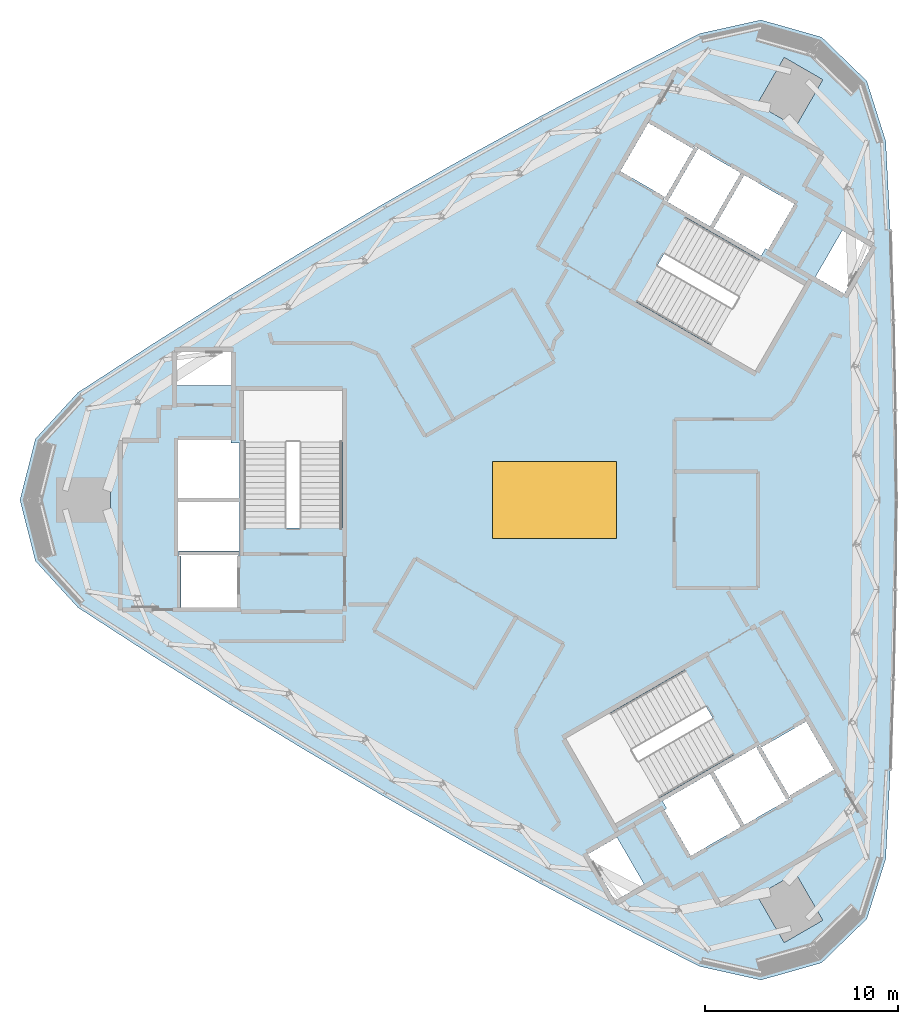
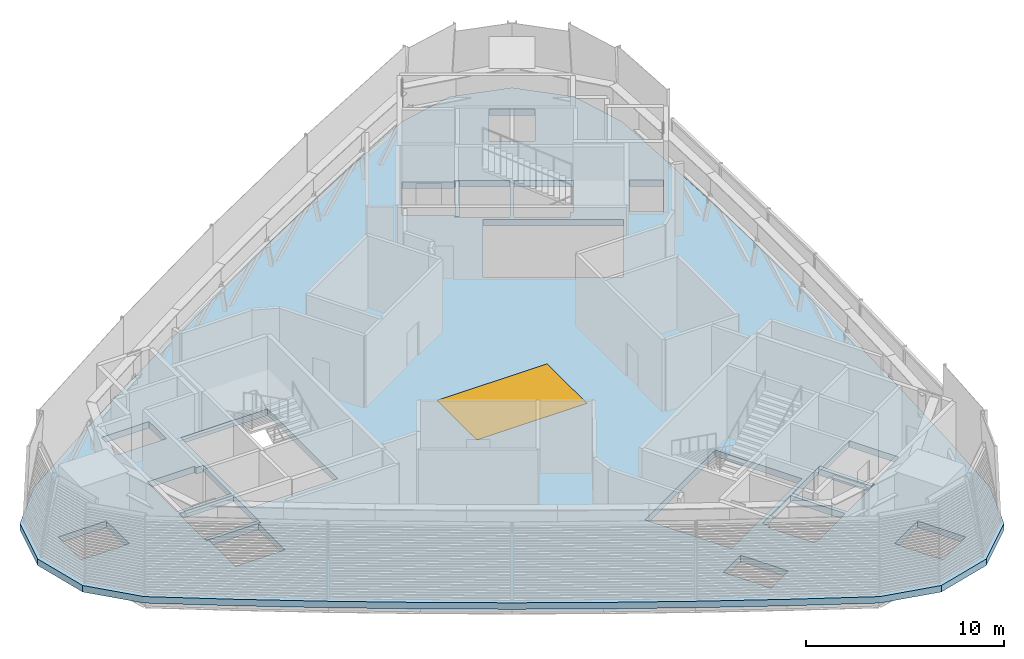
# One storey, part 5 of 18: 1 slab, 1 window, 1 opening.
"""IFC4 building model written with IfcOpenShell, lengths in metres."""

from ifc_helpers import new_model, si_unit, direction, frame, origin, origin_2d, place, context, subcontext, project, spatial, polyline, rectangle, outline, extrude, material, layer, layer_set, type_object, element, fill, save


model = new_model("IFC4")

# Units and contexts
model_context = context("Model", 3, precision=1e-05, world=origin(), true_north=direction((0.0, 1.0)))
body_context = subcontext(model_context, "Body", "Model", "MODEL_VIEW")
ifc_project = project(units=[si_unit("LENGTHUNIT", "METRE"), si_unit("AREAUNIT", "SQUARE_METRE"), si_unit("VOLUMEUNIT", "CUBIC_METRE"), si_unit("PLANEANGLEUNIT", "RADIAN"), si_unit("MASSUNIT", "GRAM", prefix="KILO")], contexts=[model_context])

# Site, building, storey
site_placement = place(None, origin())
site = spatial("IfcSite", under=ifc_project, at=site_placement, CompositionType="ELEMENT")
building_placement = place(site_placement, origin())
building = spatial("IfcBuilding", under=site, at=building_placement, Name="Tamra Quay Hotel Tower", CompositionType="ELEMENT")
storey_placement = place(building_placement, frame((0.0, 0.0, 257.39990234375)))
storey = spatial("IfcBuildingStorey", under=building, at=storey_placement, Name="L65", CompositionType="ELEMENT", Elevation=257.39990234375)

# Slab, opening, window
ifc_material_1 = material(Name="Concrete M60", Category="concrete")
ifc_layer = layer(ifc_material_1, 0.39990234375)
ifc_layer_set = layer_set([ifc_layer], Name="FLOOR SLAB PT 400")
slab_type = type_object("IfcSlabType", Name="FLOOR SLAB PT 400", PredefinedType="FLOOR", material=ifc_layer_set)
slab_placement = place(storey_placement, frame((0.0, 0.0, -0.39990234375)))
slab = element("IfcSlab", 1, at=slab_placement, inside=storey, type_object=slab_type, Name="SLAB-L65", PredefinedType="FLOOR", context=body_context, shape_type="SweptSolid", body=[
    extrude(outline(polyline([(17.3623046875, 13.91552734375), (17.53271484375, 9.278564453125), (17.63525390625, 4.639892578125), (17.66943359375, 0.0), (17.63525390625, -4.639892578125), (17.53271484375, -9.278564453125), (17.3623046875, -13.91552734375), (17.123779296875, -18.54931640625), (16.14453125, -21.652587890625), (13.810302734375, -23.919921875), (10.679443359375, -24.80810546875), (7.502197265625, -24.1044921875), (3.3701171875, -21.993896484375), (-0.73095703125, -19.8232421875), (-4.79931640625, -17.592529296875), (-8.834716796875, -15.302001953125), (-12.8359375, -12.952392578125), (-16.802001953125, -10.544677734375), (-20.732421875, -8.078369140625), (-24.626220703125, -5.554931640625), (-26.82421875, -3.1552734375), (-27.620361328125, 0.0), (-26.82421875, 3.1552734375), (-24.626220703125, 5.554931640625), (-20.732421875, 8.078369140625), (-16.802001953125, 10.544677734375), (-12.8359375, 12.952392578125), (-8.834716796875, 15.302001953125), (-4.79931640625, 17.592529296875), (-0.73095703125, 19.8232421875), (3.3701171875, 21.993896484375), (7.502197265625, 24.1044921875), (10.679443359375, 24.80810546875), (13.810302734375, 23.919921875), (16.14453125, 21.652587890625), (17.123779296875, 18.54931640625), (17.3623046875, 13.91552734375)]), holes=[polyline([(4.631103515625, -19.851318359375), (3.236083984375, -17.43505859375), (1.73779296875, -18.300048828125), (3.1328125, -20.71630859375), (4.631103515625, -19.851318359375)]), polyline([(0.622314453125, -12.32763671875), (3.146728515625, -16.7001953125), (9.2783203125, -13.160400390625), (6.75390625, -8.78759765625), (0.622314453125, -12.32763671875)]), polyline([(-19.4072265625, -2.89306640625), (-19.307373046875, -2.89306640625), (-19.307373046875, -5.544921875), (-16.417236328125, -5.544921875), (-16.417236328125, -2.89306640625), (-16.3173828125, -2.89306640625), (-16.3173828125, -2.85498046875), (-19.4072265625, -2.85498046875), (-19.4072265625, -2.89306640625)]), polyline([(-16.307373046875, -2.64501953125), (-16.307373046875, -2.89306640625), (-16.26708984375, -2.89306640625), (-16.26708984375, -0.10498046875), (-19.45751953125, -0.10498046875), (-19.45751953125, -2.89306640625), (-19.417236328125, -2.89306640625), (-19.417236328125, -2.64501953125), (-16.307373046875, -2.64501953125)]), polyline([(-25.746826171875, -1.14990234375), (-22.947021484375, -1.14990234375), (-22.947021484375, 1.14990234375), (-25.746826171875, 1.14990234375), (-25.746826171875, -1.14990234375)]), polyline([(-16.707275390625, 3.09521484375), (-19.45751953125, 3.09521484375), (-19.45751953125, 0.10498046875), (-16.26708984375, 0.10498046875), (-16.26708984375, 2.945068359375), (-16.707275390625, 2.945068359375), (-16.707275390625, 3.09521484375)]), polyline([(-10.9873046875, 5.625), (-16.036376953125, 5.625), (-16.036376953125, -1.455078125), (-10.9873046875, -1.455078125), (-10.9873046875, 5.625)]), polyline([(-19.50732421875, 7.64501953125), (-19.50732421875, 5.9150390625), (-16.71728515625, 5.9150390625), (-16.71728515625, 7.64501953125), (-19.50732421875, 7.64501953125)]), polyline([(7.231201171875, 18.234619140625), (7.1982421875, 18.253662109375), (7.148193359375, 18.1669921875), (4.8515625, 19.4931640625), (3.406494140625, 16.990234375), (5.703125, 15.664306640625), (5.6533203125, 15.57763671875), (5.68603515625, 15.55859375), (7.231201171875, 18.234619140625)]), polyline([(13.869384765625, -21.722412109375), (12.469482421875, -19.297607421875), (10.4775390625, -20.447509765625), (11.87744140625, -22.872314453125), (13.869384765625, -21.722412109375)]), polyline([(5.673095703125, -16.0166015625), (7.04833984375, -18.398193359375), (9.6376953125, -16.903076171875), (8.042724609375, -14.14013671875), (5.5830078125, -15.560302734375), (5.80322265625, -15.94140625), (5.673095703125, -16.0166015625)]), polyline([(10.4443359375, -12.800048828125), (10.6591796875, -12.676025390625), (10.63916015625, -12.64111328125), (8.224609375, -14.03515625), (9.819580078125, -16.798095703125), (12.234130859375, -15.404052734375), (12.214111328125, -15.369384765625), (11.999267578125, -15.493408203125), (10.4443359375, -12.800048828125)]), polyline([(12.208984375, -15.360595703125), (12.1591796875, -15.274169921875), (14.455810546875, -13.947998046875), (13.0107421875, -11.4453125), (10.714111328125, -12.771240234375), (10.6640625, -12.6845703125), (10.631103515625, -12.70361328125), (12.176025390625, -15.379638671875), (12.208984375, -15.360595703125)]), polyline([(10.364990234375, 6.702880859375), (12.889404296875, 11.075439453125), (6.758056640625, 14.615478515625), (4.2333984375, 10.242919921875), (10.364990234375, 6.702880859375)]), polyline([(14.876220703125, 13.936279296875), (13.481201171875, 11.52001953125), (14.9794921875, 10.655029296875), (16.37451171875, 13.0712890625), (14.876220703125, 13.936279296875)]), polyline([(11.0341796875, 12.92138671875), (12.4091796875, 15.302978515625), (9.819580078125, 16.798095703125), (8.224365234375, 14.035400390625), (10.68408203125, 12.615234375), (10.904052734375, 12.996337890625), (11.0341796875, 12.92138671875)]), polyline([(7.41796875, 18.138427734375), (5.863037109375, 15.445068359375), (5.648193359375, 15.569091796875), (5.628173828125, 15.5341796875), (8.04248046875, 14.140380859375), (9.6376953125, 16.903076171875), (7.22314453125, 18.297119140625), (7.203125, 18.262451171875), (7.41796875, 18.138427734375)]), polyline([(13.869384765625, 21.722412109375), (11.87744140625, 22.872314453125), (10.4775390625, 20.447509765625), (12.469482421875, 19.297607421875), (13.869384765625, 21.722412109375)])]), origin(), (0.0, 0.0, 1.0), 0.39990234375),
])
opening_placement = place(slab_placement, origin())
opening = element("IfcOpeningElement", 2, at=opening_placement, cuts=slab, Name="Opening SK1-6410", PredefinedType="OPENING", context=body_context, shape_type="SweptSolid", body=[
    extrude(rectangle(XDim=6.409912109375, YDim=4.0, at=origin_2d()), origin(), (0.0, 0.0, 1.0), 0.39990234375),
])
ifc_material_2 = material(Name="Fire-rated laminated glass in steel frame", Category="steel")
window_type = type_object("IfcWindowType", Name="ATRIUM SKYLIGHT 6410X4000", PartitioningType="SINGLE_PANEL", PredefinedType="SKYLIGHT", material=ifc_material_2)
window_placement = place(opening_placement, frame((0.0, 0.0, 0.349853515625)))
window = element("IfcWindow", 3, at=window_placement, inside=storey, type_object=window_type, Name="SK1-6410", OverallHeight=4.0, OverallWidth=6.409912109375, PartitioningType="SINGLE_PANEL", PredefinedType="SKYLIGHT", context=body_context, shape_type="SweptSolid", body=[
    extrude(rectangle(XDim=6.409912109375, YDim=4.0, at=origin_2d()), origin(), (0.0, 0.0, 1.0), 0.050048828125),
])
fill(opening, window)

save(model, "model.ifc")
